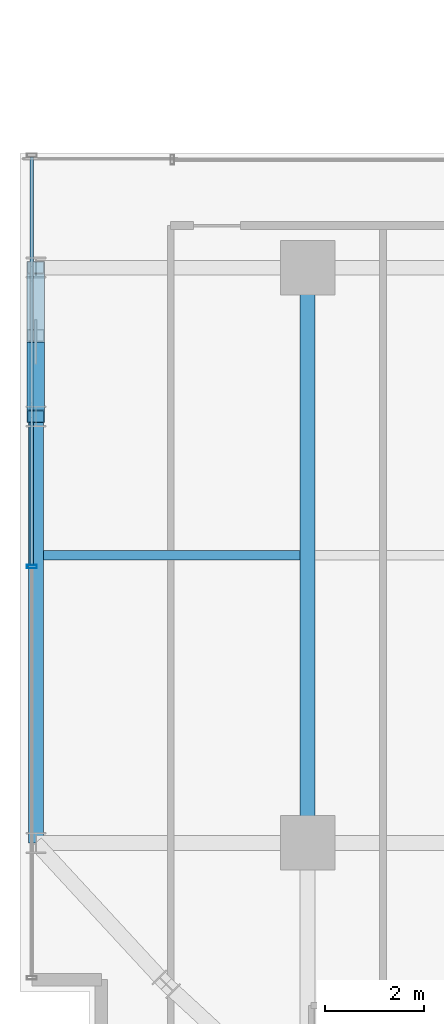
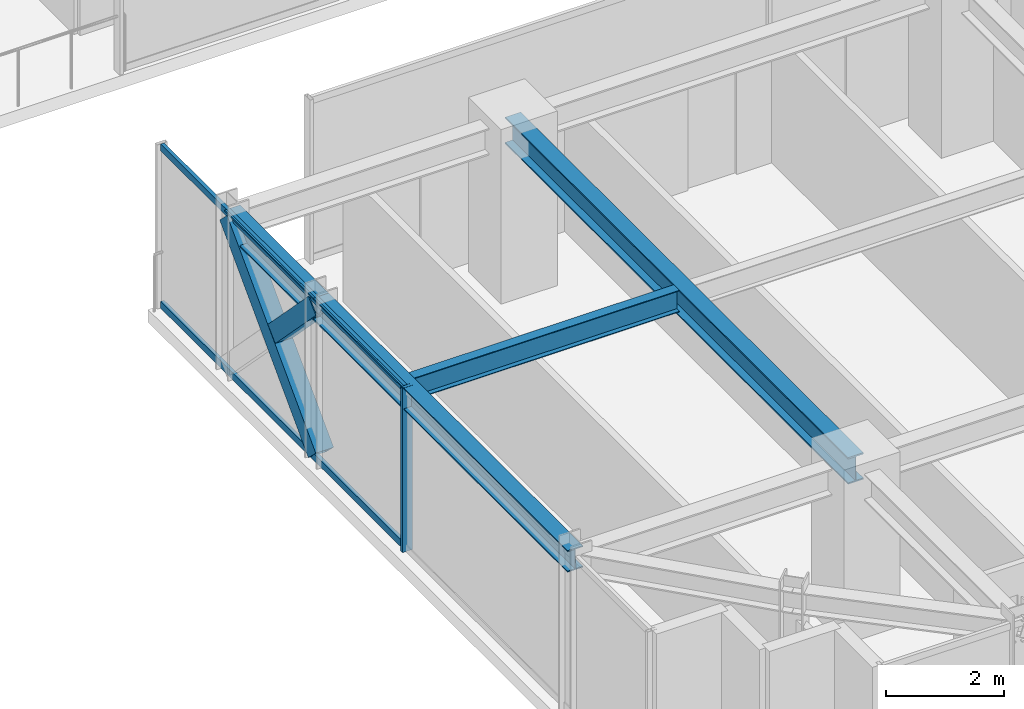
# One storey, part 4 of 36: 5 members, 4 beams, 1 element without a shape of its own.
"""IFC4 building model written with IfcOpenShell, lengths in metres."""

from ifc_helpers import new_model, si_unit, direction, frame, origin, origin_2d, place, context, subcontext, project, spatial, hollow_rectangle, i_section, extrude, source, transform, mapped, material, material_profile, profile_set, type_object, element, aggregate, save


model = new_model("IFC4")

# Units and contexts
model_context = context("Model", 3, precision=1e-05, world=origin(), true_north=direction((0.0, 1.0)))
body_context = subcontext(model_context, "Body", "Model", "MODEL_VIEW")
ifc_project = project(units=[si_unit("LENGTHUNIT", "METRE"), si_unit("AREAUNIT", "SQUARE_METRE"), si_unit("VOLUMEUNIT", "CUBIC_METRE"), si_unit("PLANEANGLEUNIT", "RADIAN"), si_unit("MASSUNIT", "GRAM", prefix="KILO")], contexts=[model_context])

# Site, building, storey
site_placement = place(None, origin())
site = spatial("IfcSite", under=ifc_project, at=site_placement, CompositionType="ELEMENT")
building_placement = place(site_placement, origin())
building = spatial("IfcBuilding", under=site, at=building_placement, Name="Nahalor Promenade Grand Hotel", CompositionType="ELEMENT")
storey_placement = place(building_placement, frame((0.0, 0.0, 174.550048828125)))
storey = spatial("IfcBuildingStorey", under=building, at=storey_placement, Name="L44", CompositionType="ELEMENT", Elevation=174.550048828125)

# Beams
ifc_material_1 = material(Name="Steel S355JR", Category="steel")
ifc_material_profile_1 = material_profile(ifc_material_1, i_section(OverallWidth=0.3, OverallDepth=0.55, WebThickness=0.015, FlangeThickness=0.029, at=origin_2d()), Name="HEB 550")
ifc_profile_set_1 = profile_set([ifc_material_profile_1], Name="Steel S355JR")
beam_type_1 = type_object("IfcBeamType", Name="Beam-Girder-HEB550", PredefinedType="BEAM", material=ifc_profile_set_1)
shared_shape_1 = source(origin(), body_context, "Body", "SweptSolid", [
    extrude(i_section(OverallWidth=0.3, OverallDepth=0.55, WebThickness=0.015, FlangeThickness=0.029, at=origin_2d()), origin(), (0.0, 0.0, 1.0), 11.60009765625),
])
beam_1_placement = place(storey_placement, frame((-17.0, -17.0, 3.114990234375), z_axis=(0.0, 1.0, 0.0), x_axis=(-1.0, 0.0, 0.0)))
element("IfcBeam", 1, at=beam_1_placement, inside=storey, type_object=beam_type_1, Name="BM-L44-GY-0-1", PredefinedType="BEAM", context=body_context, shape_type="MappedRepresentation", body=[
    mapped(shared_shape_1, transform((0.0, 0.0, 0.0), scale=1.0)),
])
ifc_material_profile_2 = material_profile(ifc_material_1, i_section(OverallWidth=0.19, OverallDepth=0.45, WebThickness=0.0094, FlangeThickness=0.0146, at=origin_2d()), Name="IPE 450")
ifc_profile_set_2 = profile_set([ifc_material_profile_2], Name="Steel S355JR")
beam_type_2 = type_object("IfcBeamType", Name="Beam-Joist-IPE450", PredefinedType="JOIST", material=ifc_profile_set_2)
shared_shape_2 = source(origin(), body_context, "Body", "SweptSolid", [
    extrude(i_section(OverallWidth=0.19, OverallDepth=0.45, WebThickness=0.0094, FlangeThickness=0.0146, at=origin_2d()), origin(), (0.0, 0.0, 1.0), 5.18017578125),
])
beam_2_placement = place(storey_placement, frame((-22.330078125, -11.199951171875, 3.1650390625), z_axis=(1.0, 0.0, 0.0), x_axis=(0.0, 1.0, 0.0)))
element("IfcBeam", 2, at=beam_2_placement, inside=storey, type_object=beam_type_2, Name="BM-L44-JSW-0-0", PredefinedType="JOIST", context=body_context, shape_type="MappedRepresentation", body=[
    mapped(shared_shape_2, transform((0.0, 0.0, 0.0), scale=1.0)),
])
ifc_material_profile_3 = material_profile(ifc_material_1, i_section(OverallWidth=0.3, OverallDepth=0.45, WebThickness=0.014, FlangeThickness=0.026, at=origin_2d()), Name="HEB 450")
ifc_profile_set_3 = profile_set([ifc_material_profile_3], Name="Steel S355JR")
beam_type_3 = type_object("IfcBeamType", Name="Beam-Spandrel-HEB450", PredefinedType="SPANDREL", material=ifc_profile_set_3)
shared_shape_3 = source(origin(), body_context, "Body", "SweptSolid", [
    extrude(i_section(OverallWidth=0.3, OverallDepth=0.45, WebThickness=0.014, FlangeThickness=0.026, at=origin_2d()), origin(), (0.0, 0.0, 1.0), 8.60009765625),
])
beam_3_placement = place(storey_placement, frame((-22.47998046875, -17.0, 3.1650390625), z_axis=(0.0, 1.0, 0.0), x_axis=(-1.0, 0.0, 0.0)))
element("IfcBeam", 3, at=beam_3_placement, inside=storey, type_object=beam_type_3, Name="BM-L44-SP-W-0", PredefinedType="SPANDREL", context=body_context, shape_type="MappedRepresentation", body=[
    mapped(shared_shape_3, transform((0.0, 0.0, 0.0), scale=1.0)),
])
shared_shape_4 = source(origin(), body_context, "Body", "SweptSolid", [
    extrude(i_section(OverallWidth=0.3, OverallDepth=0.45, WebThickness=0.014, FlangeThickness=0.026, at=origin_2d()), origin(), (0.0, 0.0, 1.0), 3.0),
])
beam_4_placement = place(storey_placement, frame((-22.47998046875, -8.39990234375, 3.1650390625), z_axis=(0.0, 1.0, 0.0), x_axis=(-1.0, 0.0, 0.0)))
element("IfcBeam", 4, at=beam_4_placement, inside=storey, type_object=beam_type_3, Name="BM-L44-SP-W-1", PredefinedType="SPANDREL", context=body_context, shape_type="MappedRepresentation", body=[
    mapped(shared_shape_4, transform((0.0, 0.0, 0.0), scale=1.0)),
])

# Members
ifc_material_profile_4 = material_profile(ifc_material_1, hollow_rectangle(XDim=0.35, YDim=0.35, WallThickness=0.02, at=origin_2d()), Name="SHS 350x350x20")
ifc_profile_set_4 = profile_set([ifc_material_profile_4], Name="Steel S355JR")
member_type_1 = type_object("IfcMemberType", Name="Mem-VoidBrace-SHS350", PredefinedType="BRACE", material=ifc_profile_set_4)
shared_shape_5 = source(origin(), body_context, "Body", "SweptSolid", [
    extrude(hollow_rectangle(XDim=0.35, YDim=0.35, WallThickness=0.02, at=origin_2d()), origin(), (0.0, 0.0, 1.0), 1.96630859375),
])
member_1_placement = place(storey_placement, frame((-22.47998046875, -7.0302734375, 1.8291015625), z_axis=(0.0, -0.696537426897, 0.717520461682), x_axis=(1.0, 0.0, 0.0)))
element("IfcMember", 5, at=member_1_placement, inside=storey, type_object=member_type_1, Name="EXO-L44-VX2-W0B", PredefinedType="BRACE", context=body_context, shape_type="MappedRepresentation", body=[
    mapped(shared_shape_5, transform((0.0, 0.0, 0.0), scale=1.0)),
])
shared_shape_6 = source(origin(), body_context, "Body", "SweptSolid", [
    extrude(hollow_rectangle(XDim=0.35, YDim=0.35, WallThickness=0.02, at=origin_2d()), origin(), (0.0, 0.0, 1.0), 4.306884765625),
])
member_2_placement = place(storey_placement, frame((-22.47998046875, -8.39990234375, 0.14990234375), z_axis=(0.0, 0.696570665899, 0.717488193219), x_axis=(-1.0, 0.0, 0.0)))
element("IfcMember", 6, at=member_2_placement, inside=storey, type_object=member_type_1, Name="EXO-L44-VX1-W0", PredefinedType="BRACE", context=body_context, shape_type="MappedRepresentation", body=[
    mapped(shared_shape_6, transform((0.0, 0.0, 0.0), scale=1.0)),
])

# Curtain wall, members
ifc_material_2 = material(Name="Anodised Bronze Aluminium EN AW-6063 T6", Category="aluminium")
curtain_wall_type = type_object("IfcCurtainWallType", Name="CW3 Elliptical-Void Collar Unitised Curtain Wall", PredefinedType="USERDEFINED", material=ifc_material_2)
curtain_wall_placement = place(storey_placement, origin())
curtain_wall = element("IfcCurtainWall", 7, at=curtain_wall_placement, inside=storey, type_object=curtain_wall_type, Name="L44 Curtain Wall CW-L44-W-1", ObjectType="UNITISED_CURTAIN_WALL", PredefinedType="USERDEFINED")
ifc_material_profile_5 = material_profile(ifc_material_2, hollow_rectangle(XDim=0.07, YDim=0.2, WallThickness=0.005, at=origin_2d()), Name="CWM 70x200x5")
ifc_profile_set_5 = profile_set([ifc_material_profile_5], Name="Anodised Bronze Aluminium EN AW-6063 T6")
member_type_2 = type_object("IfcMemberType", Name="CWM3 Void Collar Mullion 70x200", PredefinedType="MULLION", material=ifc_profile_set_5)
shared_shape_7 = source(origin(), body_context, "Body", "SweptSolid", [
    extrude(hollow_rectangle(XDim=0.07, YDim=0.2, WallThickness=0.005, at=origin_2d()), origin(), (0.0, 0.0, 1.0), 3.389892578125),
])
member_3_placement = place(storey_placement, frame((-22.56005859375, -11.429931640625, 0.0), z_axis=(0.0, 0.0, 1.0), x_axis=(0.0, 1.0, 0.0)))
member_3 = element("IfcMember", 8, at=member_3_placement, type_object=member_type_2, Name="CW-L44-W-1 Mullion 1", PredefinedType="MULLION", context=body_context, shape_type="MappedRepresentation", body=[
    mapped(shared_shape_7, transform((0.0, 0.0, 0.0), scale=1.0)),
])
ifc_material_profile_6 = material_profile(ifc_material_2, hollow_rectangle(XDim=0.07, YDim=0.14, WallThickness=0.004, at=origin_2d()), Name="CWT 70x140x4")
ifc_profile_set_6 = profile_set([ifc_material_profile_6], Name="Anodised Bronze Aluminium EN AW-6063 T6")
member_type_3 = type_object("IfcMemberType", Name="CWT3 Void Collar Transom 70x140", PredefinedType="USERDEFINED", material=ifc_profile_set_6)
shared_shape_8 = source(origin(), body_context, "Body", "SweptSolid", [
    extrude(hollow_rectangle(XDim=0.07, YDim=0.14, WallThickness=0.004, at=origin_2d()), origin(), (0.0, 0.0, 1.0), 8.22509765625),
])
member_4_placement = place(storey_placement, frame((-22.56005859375, -11.39501953125, 0.070068359375), z_axis=(0.0, 1.0, 0.0), x_axis=(-1.0, 0.0, 0.0)))
member_4 = element("IfcMember", 9, at=member_4_placement, type_object=member_type_3, Name="CW-L44-W-1 Transom 1-0", ObjectType="TRANSOM", PredefinedType="USERDEFINED", context=body_context, shape_type="MappedRepresentation", body=[
    mapped(shared_shape_8, transform((0.0, 0.0, 0.0), scale=1.0)),
])
member_5_placement = place(storey_placement, frame((-22.56005859375, -11.39501953125, 3.320068359375), z_axis=(0.0, 1.0, 0.0), x_axis=(-1.0, 0.0, 0.0)))
member_5 = element("IfcMember", 10, at=member_5_placement, type_object=member_type_3, Name="CW-L44-W-1 Transom 1-1", ObjectType="TRANSOM", PredefinedType="USERDEFINED", context=body_context, shape_type="MappedRepresentation", body=[
    mapped(shared_shape_8, transform((0.0, 0.0, 0.0), scale=1.0)),
])
aggregate(curtain_wall, [member_3, member_4, member_5])

save(model, "model.ifc")
